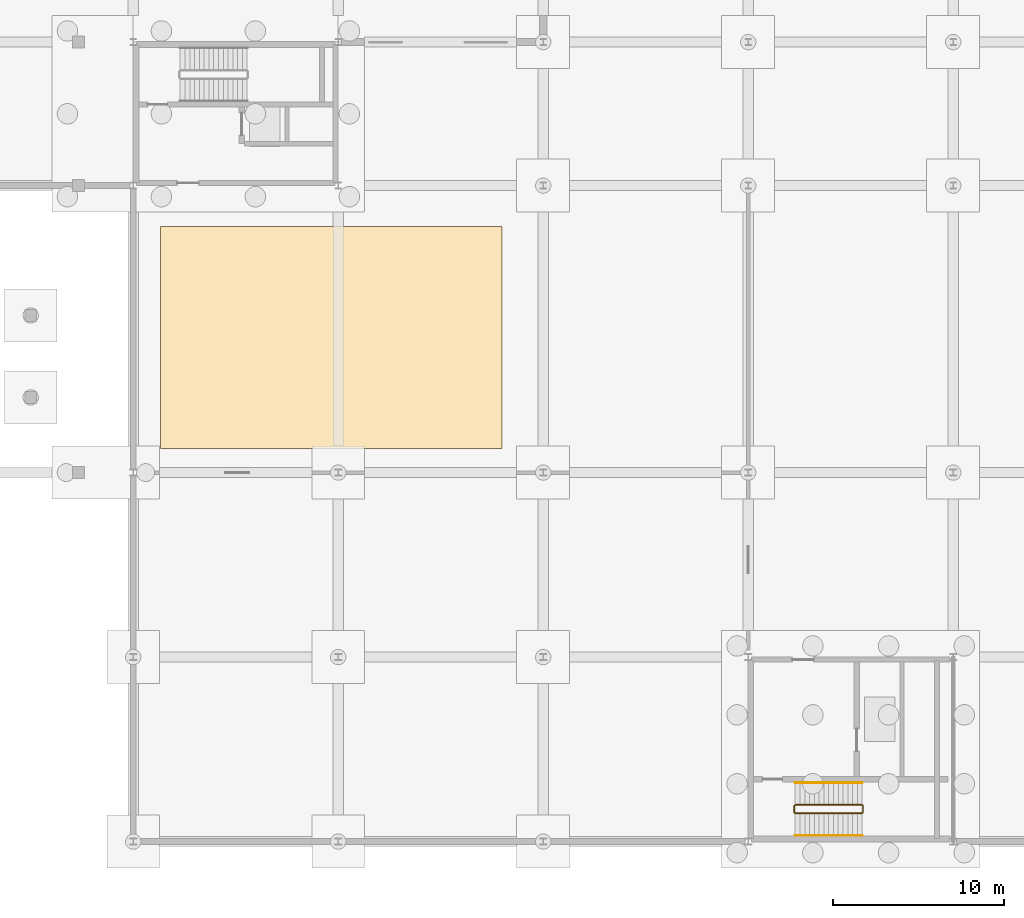
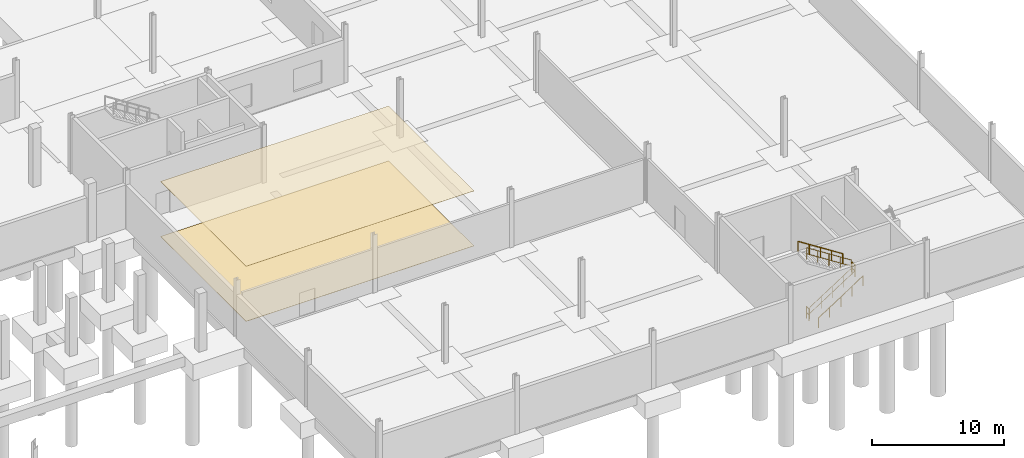
# One storey, part 35 of 36: 6 railings, 2 coverings.
"""IFC4 building model written with IfcOpenShell, lengths in metres."""

from ifc_helpers import new_model, si_unit, direction, frame, origin, origin_2d, place, context, subcontext, project, spatial, rectangle, circle, extrude, material, layer, layer_set, type_object, element, save


model = new_model("IFC4")

# Units and contexts
model_context = context("Model", 3, precision=1e-05, world=origin(), true_north=direction((0.0, 1.0)))
body_context = subcontext(model_context, "Body", "Model", "MODEL_VIEW")
ifc_project = project(units=[si_unit("LENGTHUNIT", "METRE"), si_unit("AREAUNIT", "SQUARE_METRE"), si_unit("VOLUMEUNIT", "CUBIC_METRE"), si_unit("PLANEANGLEUNIT", "RADIAN"), si_unit("MASSUNIT", "GRAM", prefix="KILO"), si_unit("THERMODYNAMICTEMPERATUREUNIT", "KELVIN"), si_unit("POWERUNIT", "WATT")], contexts=[model_context])

# Site, building, storey
site_placement = place(None, origin())
site = spatial("IfcSite", under=ifc_project, at=site_placement, CompositionType="ELEMENT")
building_placement = place(site_placement, origin())
building = spatial("IfcBuilding", under=site, at=building_placement, Name="Tembeka Court Mobility Hub", CompositionType="ELEMENT")
storey_placement = place(building_placement, frame((0.0, 0.0, -5.39990234375)))
storey = spatial("IfcBuildingStorey", under=building, at=storey_placement, Name="B1", CompositionType="ELEMENT", Elevation=-5.39990234375)

# Coverings
ifc_material_1 = material(Name="Perforated acoustic mineral-fibre ceiling tile", Category="masonry")
ifc_layer_1 = layer(ifc_material_1, 0.02490234375)
ifc_layer_set_1 = layer_set([ifc_layer_1], Name="Perforated acoustic mineral-fibre ceiling tile")
covering_type_1 = type_object("IfcCoveringType", Name="COV-CL01", PredefinedType="CEILING", material=ifc_layer_set_1)
covering_1_placement = place(storey_placement, frame((128.0, 29.5, 5.099365234375), z_axis=(0.0, 0.0, 1.0), x_axis=(1.0, 0.0, 0.0)))
element("IfcCovering", 1, at=covering_1_placement, inside=storey, type_object=covering_type_1, Name="Acoustic ceiling panel CVC1-01", PredefinedType="CEILING", context=body_context, shape_type="SweptSolid", body=[
    extrude(rectangle(XDim=20.0, YDim=13.0, at=origin_2d()), origin(), (0.0, 0.0, 1.0), 0.02490234375),
])
ifc_material_2 = material(Name="Honed Nairobi granite concourse flooring", Category="masonry")
ifc_layer_2 = layer(ifc_material_2, 0.02001953125)
ifc_layer_set_2 = layer_set([ifc_layer_2], Name="Honed Nairobi granite concourse flooring")
covering_type_2 = type_object("IfcCoveringType", Name="COV-FL01", PredefinedType="FLOORING", material=ifc_layer_set_2)
covering_2_placement = place(storey_placement, frame((128.0, 29.5, -0.002197265625), z_axis=(0.0, 0.0, 1.0), x_axis=(1.0, 0.0, 0.0)))
element("IfcCovering", 2, at=covering_2_placement, inside=storey, type_object=covering_type_2, Name="Honed granite floor finish CVF1-01", PredefinedType="FLOORING", context=body_context, shape_type="SweptSolid", body=[
    extrude(rectangle(XDim=20.0, YDim=13.0, at=origin_2d()), origin(), (0.0, 0.0, 1.0), 0.02001953125),
])

# Railings
ifc_material_3 = material(Name="Painted galvanised steel balustrade", Category="steel")
railing_type_1 = type_object("IfcRailingType", Name="RL-GR01", PredefinedType="GUARDRAIL", material=ifc_material_3)
railing_1_placement = place(storey_placement, frame((155.14990234375, 1.64990234375, 0.179931640625)))
element("IfcRailing", 3, at=railing_1_placement, inside=storey, type_object=railing_type_1, Name="B1 ST06 stair guard 1-1", PredefinedType="GUARDRAIL", context=body_context, shape_type="SweptSolid", body=[
    extrude(circle(Radius=0.02392578125, at=origin_2d()), frame((0.0, 0.0, 1.09619140625), z_axis=(0.841186985886, 0.0, 0.540744352514), x_axis=(0.0, 1.0, 0.0)), (0.0, 0.0, 1.0), 4.660400390625),
    extrude(circle(Radius=0.02392578125, at=origin_2d()), frame((0.0, 0.0, 0.5361328125), z_axis=(0.841186985886, 0.0, 0.540744352514), x_axis=(0.0, 1.0, 0.0)), (0.0, 0.0, 1.0), 4.660400390625),
    extrude(circle(Radius=0.02099609375, at=origin_2d()), origin(), (0.0, 0.0, 1.0), 1.072021484375),
    extrude(circle(Radius=0.02099609375, at=origin_2d()), frame((0.97998046875, 0.0, 0.6298828125)), (0.0, 0.0, 1.0), 1.072021484375),
    extrude(circle(Radius=0.02099609375, at=origin_2d()), frame((1.9599609375, 0.0, 1.260009765625)), (0.0, 0.0, 1.0), 1.072021484375),
    extrude(circle(Radius=0.02099609375, at=origin_2d()), frame((2.940185546875, 0.0, 1.89013671875)), (0.0, 0.0, 1.0), 1.072021484375),
    extrude(circle(Radius=0.02099609375, at=origin_2d()), frame((3.920166015625, 0.0, 2.52001953125)), (0.0, 0.0, 1.0), 1.072021484375),
])
railing_2_placement = place(storey_placement, frame((159.1201171875, 1.699951171875, 2.699951171875)))
element("IfcRailing", 4, at=railing_2_placement, inside=storey, type_object=railing_type_1, Name="B1 ST06 stair guard 2-1", PredefinedType="GUARDRAIL", context=body_context, shape_type="SweptSolid", body=[
    extrude(circle(Radius=0.02392578125, at=origin_2d()), frame((0.0, 0.0, 1.09619140625), z_axis=(0.0, 1.0, 0.0), x_axis=(-1.0, 0.0, 0.0)), (0.0, 0.0, 1.0), 0.400146484375),
    extrude(circle(Radius=0.02392578125, at=origin_2d()), frame((0.0, 0.0, 0.5361328125), z_axis=(0.0, 1.0, 0.0), x_axis=(-1.0, 0.0, 0.0)), (0.0, 0.0, 1.0), 0.400146484375),
    extrude(circle(Radius=0.02099609375, at=origin_2d()), origin(), (0.0, 0.0, 1.0), 1.072021484375),
    extrude(circle(Radius=0.02099609375, at=origin_2d()), frame((0.0, 0.400146484375, 0.0)), (0.0, 0.0, 1.0), 1.072021484375),
])
railing_3_placement = place(storey_placement, frame((159.070068359375, 2.14990234375, 2.8798828125)))
element("IfcRailing", 5, at=railing_3_placement, inside=storey, type_object=railing_type_1, Name="B1 ST06 stair guard 3-1", PredefinedType="GUARDRAIL", context=body_context, shape_type="SweptSolid", body=[
    extrude(circle(Radius=0.02392578125, at=origin_2d()), frame((0.0, 0.0, 1.09619140625), z_axis=(-0.841186985886, 0.0, 0.540744352514), x_axis=(0.0, -1.0, 0.0)), (0.0, 0.0, 1.0), 4.660400390625),
    extrude(circle(Radius=0.02392578125, at=origin_2d()), frame((0.0, 0.0, 0.5361328125), z_axis=(-0.841186985886, 0.0, 0.540744352514), x_axis=(0.0, -1.0, 0.0)), (0.0, 0.0, 1.0), 4.660400390625),
    extrude(circle(Radius=0.02099609375, at=origin_2d()), origin(), (0.0, 0.0, 1.0), 1.072021484375),
    extrude(circle(Radius=0.02099609375, at=origin_2d()), frame((-0.97998046875, 0.0, 0.6298828125)), (0.0, 0.0, 1.0), 1.072021484375),
    extrude(circle(Radius=0.02099609375, at=origin_2d()), frame((-1.9599609375, 0.0, 1.260009765625)), (0.0, 0.0, 1.0), 1.072021484375),
    extrude(circle(Radius=0.02099609375, at=origin_2d()), frame((-2.940185546875, 0.0, 1.89013671875)), (0.0, 0.0, 1.0), 1.072021484375),
    extrude(circle(Radius=0.02099609375, at=origin_2d()), frame((-3.920166015625, 0.0, 2.52001953125)), (0.0, 0.0, 1.0), 1.072021484375),
])
railing_4_placement = place(storey_placement, frame((155.10009765625, 1.699951171875, 0.0)))
element("IfcRailing", 6, at=railing_4_placement, inside=storey, type_object=railing_type_1, Name="B1 ST06 stair guard 4-1", PredefinedType="GUARDRAIL", context=body_context, shape_type="SweptSolid", body=[
    extrude(circle(Radius=0.02392578125, at=origin_2d()), frame((0.0, 0.0, 1.09619140625), z_axis=(0.0, 1.0, 0.0), x_axis=(-1.0, 0.0, 0.0)), (0.0, 0.0, 1.0), 0.400146484375),
    extrude(circle(Radius=0.02392578125, at=origin_2d()), frame((0.0, 0.0, 0.5361328125), z_axis=(0.0, 1.0, 0.0), x_axis=(-1.0, 0.0, 0.0)), (0.0, 0.0, 1.0), 0.400146484375),
    extrude(circle(Radius=0.02099609375, at=origin_2d()), origin(), (0.0, 0.0, 1.0), 1.072021484375),
    extrude(circle(Radius=0.02099609375, at=origin_2d()), frame((0.0, 0.400146484375, 0.0)), (0.0, 0.0, 1.0), 1.072021484375),
])
ifc_material_4 = material(Name="Brushed stainless steel handrail", Category="steel")
railing_type_2 = type_object("IfcRailingType", Name="RL-HR01", PredefinedType="HANDRAIL", material=ifc_material_4)
railing_5_placement = place(storey_placement, frame((155.14990234375, 0.35009765625, 0.179931640625)))
element("IfcRailing", 7, at=railing_5_placement, inside=storey, type_object=railing_type_2, Name="B1 ST06 handrail 1-1", PredefinedType="HANDRAIL", context=body_context, shape_type="SweptSolid", body=[
    extrude(circle(Radius=0.02392578125, at=origin_2d()), frame((0.0, 0.0, 0.89599609375), z_axis=(0.841186985886, 0.0, 0.540744352514), x_axis=(0.0, 1.0, 0.0)), (0.0, 0.0, 1.0), 4.660400390625),
    extrude(circle(Radius=0.02099609375, at=origin_2d()), origin(), (0.0, 0.0, 1.0), 0.871826171875),
    extrude(circle(Radius=0.02099609375, at=origin_2d()), frame((0.97998046875, 0.0, 0.6298828125)), (0.0, 0.0, 1.0), 0.871826171875),
    extrude(circle(Radius=0.02099609375, at=origin_2d()), frame((1.9599609375, 0.0, 1.260009765625)), (0.0, 0.0, 1.0), 0.871826171875),
    extrude(circle(Radius=0.02099609375, at=origin_2d()), frame((2.940185546875, 0.0, 1.89013671875)), (0.0, 0.0, 1.0), 0.871826171875),
    extrude(circle(Radius=0.02099609375, at=origin_2d()), frame((3.920166015625, 0.0, 2.52001953125)), (0.0, 0.0, 1.0), 0.871826171875),
])
railing_6_placement = place(storey_placement, frame((159.070068359375, 3.449951171875, 2.8798828125)))
element("IfcRailing", 8, at=railing_6_placement, inside=storey, type_object=railing_type_2, Name="B1 ST06 handrail 2-1", PredefinedType="HANDRAIL", context=body_context, shape_type="SweptSolid", body=[
    extrude(circle(Radius=0.02392578125, at=origin_2d()), frame((0.0, 0.0, 0.89599609375), z_axis=(-0.841186985886, 0.0, 0.540744352514), x_axis=(0.0, -1.0, 0.0)), (0.0, 0.0, 1.0), 4.660400390625),
    extrude(circle(Radius=0.02099609375, at=origin_2d()), origin(), (0.0, 0.0, 1.0), 0.871826171875),
    extrude(circle(Radius=0.02099609375, at=origin_2d()), frame((-0.97998046875, 0.0, 0.6298828125)), (0.0, 0.0, 1.0), 0.871826171875),
    extrude(circle(Radius=0.02099609375, at=origin_2d()), frame((-1.9599609375, 0.0, 1.260009765625)), (0.0, 0.0, 1.0), 0.871826171875),
    extrude(circle(Radius=0.02099609375, at=origin_2d()), frame((-2.940185546875, 0.0, 1.89013671875)), (0.0, 0.0, 1.0), 0.871826171875),
    extrude(circle(Radius=0.02099609375, at=origin_2d()), frame((-3.920166015625, 0.0, 2.52001953125)), (0.0, 0.0, 1.0), 0.871826171875),
])

save(model, "model.ifc")
